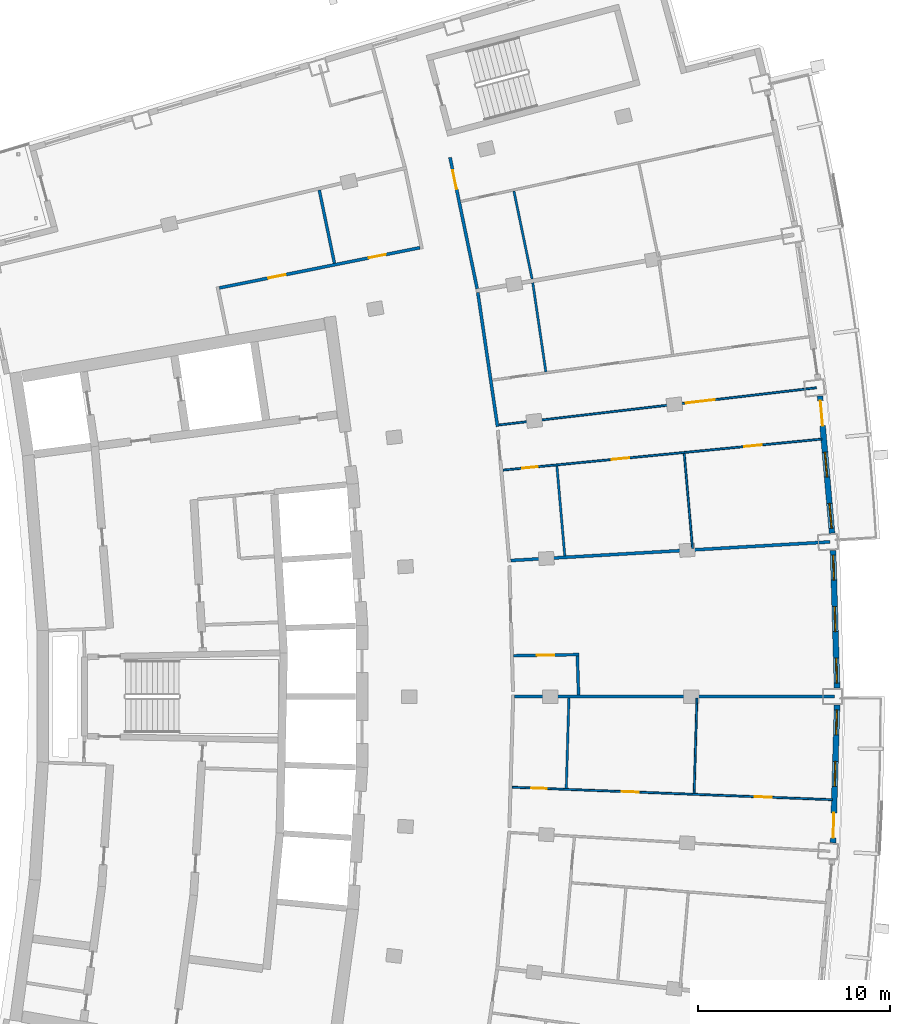
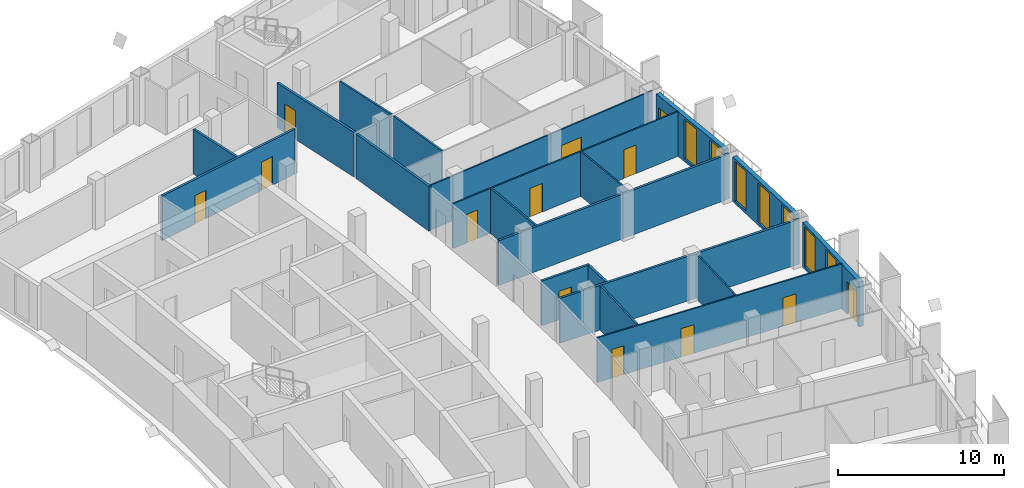
# One storey, part 13 of 17: 20 walls, 13 doors, 7 windows, 20 openings.
"""IFC4 building model written with IfcOpenShell, lengths in metres."""

from ifc_helpers import new_model, si_unit, direction, frame, frame_2d, origin, place, context, subcontext, project, spatial, rectangle, extrude, material, layer, layer_set, type_object, element, fill, save


model = new_model("IFC4")

# Units and contexts
model_context = context("Model", 3, precision=1e-05, world=origin(), true_north=direction((0.0, 1.0)))
body_context = subcontext(model_context, "Body", "Model", "MODEL_VIEW")
ifc_project = project(units=[si_unit("LENGTHUNIT", "METRE"), si_unit("AREAUNIT", "SQUARE_METRE"), si_unit("VOLUMEUNIT", "CUBIC_METRE"), si_unit("PLANEANGLEUNIT", "RADIAN"), si_unit("MASSUNIT", "GRAM", prefix="KILO")], contexts=[model_context])

# Site, building, storey
site_placement = place(None, origin())
site = spatial("IfcSite", under=ifc_project, at=site_placement, CompositionType="ELEMENT")
building_placement = place(site_placement, origin())
building = spatial("IfcBuilding", under=site, at=building_placement, Name="Alderwake Tower", CompositionType="ELEMENT")
storey_placement = place(building_placement, frame((0.0, 0.0, 218.0)))
storey = spatial("IfcBuildingStorey", under=building, at=storey_placement, Name="L54", CompositionType="ELEMENT", Elevation=218.0)

# Wall, openings, doors
ifc_material_1 = material(Name="Gypsum board on metal studs, rated")
ifc_layer_1 = layer(ifc_material_1, 0.159912109375)
ifc_layer_set_1 = layer_set([ifc_layer_1], Name="Corridor wall 160")
wall_type_1 = type_object("IfcWallType", Name="Corridor wall 160", PredefinedType="PARTITIONING", material=ifc_layer_set_1)
wall_1_placement = place(storey_placement, frame((25.926513671875, 82.24267578125, 0.0), z_axis=(0.0, 0.0, 1.0), x_axis=(0.98046310274, 0.196703086316, 0.0)))
wall_1 = element("IfcWall", 1, at=wall_1_placement, inside=storey, type_object=wall_type_1, Name="WL/L54/W17", PredefinedType="PARTITIONING", context=body_context, shape_type="SweptSolid", body=[
    extrude(rectangle(XDim=10.637939453125, YDim=0.159912109375, at=frame_2d((5.31884765625, 0.0))), origin(), (0.0, 0.0, 1.0), 3.280029296875),
])
opening_1_placement = place(wall_1_placement, frame((2.609130859375, 0.0, 0.0)))
opening_1 = element("IfcOpeningElement", 2, at=opening_1_placement, cuts=wall_1, Name="Opening R15-SBN1", PredefinedType="OPENING", context=body_context, shape_type="SweptSolid", body=[
    extrude(rectangle(XDim=0.89990234375, YDim=2.10009765625, at=frame_2d((0.449951171875, 1.050048828125))), frame((0.0, 0.08984375, 0.0), z_axis=(0.0, -1.0, 0.0), x_axis=(1.0, 0.0, 0.0)), (0.0, 0.0, 1.0), 0.179931640625),
])
opening_2_placement = place(wall_1_placement, frame((7.927978515625, 0.0, 0.0)))
opening_2 = element("IfcOpeningElement", 3, at=opening_2_placement, cuts=wall_1, Name="Opening R15-SBN2", PredefinedType="OPENING", context=body_context, shape_type="SweptSolid", body=[
    extrude(rectangle(XDim=0.89990234375, YDim=2.10009765625, at=frame_2d((0.449951171875, 1.050048828125))), frame((0.0, 0.08984375, 0.0), z_axis=(0.0, -1.0, 0.0), x_axis=(1.0, 0.0, 0.0)), (0.0, 0.0, 1.0), 0.179931640625),
])
ifc_material_2 = material(Name="Painted timber leaf", Category="wood")
door_type_1 = type_object("IfcDoorType", Name="Room door 900", OperationType="SINGLE_SWING_LEFT", PredefinedType="DOOR", material=ifc_material_2)
door_1_placement = place(opening_1_placement, origin())
door_1 = element("IfcDoor", 4, at=door_1_placement, inside=storey, type_object=door_type_1, Name="DR/L54/SBN1", OperationType="SINGLE_SWING_LEFT", OverallHeight=2.10009765625, OverallWidth=0.89990234375, PredefinedType="DOOR", context=body_context, shape_type="SweptSolid", body=[
    extrude(rectangle(XDim=0.89990234375, YDim=2.10009765625, at=frame_2d((0.449951171875, 1.050048828125))), frame((0.0, 0.02490234375, 0.0), z_axis=(0.0, -1.0, 0.0), x_axis=(1.0, 0.0, 0.0)), (0.0, 0.0, 1.0), 0.050048828125),
])
fill(opening_1, door_1)
door_2_placement = place(opening_2_placement, origin())
door_2 = element("IfcDoor", 5, at=door_2_placement, inside=storey, type_object=door_type_1, Name="DR/L54/SBN2", OperationType="SINGLE_SWING_LEFT", OverallHeight=2.10009765625, OverallWidth=0.89990234375, PredefinedType="DOOR", context=body_context, shape_type="SweptSolid", body=[
    extrude(rectangle(XDim=0.89990234375, YDim=2.10009765625, at=frame_2d((0.449951171875, 1.050048828125))), frame((0.0, 0.02490234375, 0.0), z_axis=(0.0, -1.0, 0.0), x_axis=(1.0, 0.0, 0.0)), (0.0, 0.0, 1.0), 0.050048828125),
])
fill(opening_2, door_2)

# Wall, opening, door
wall_2_placement = place(storey_placement, frame((37.9169921875, 89.02490234375, 0.0), z_axis=(0.0, 0.0, 1.0), x_axis=(0.202416809878, -0.97929946139, 0.0)))
wall_2 = element("IfcWall", 6, at=wall_2_placement, inside=storey, type_object=wall_type_1, Name="WL/L54/W20", PredefinedType="PARTITIONING", context=body_context, shape_type="SweptSolid", body=[
    extrude(rectangle(XDim=6.97021484375, YDim=0.159912109375, at=frame_2d((3.485107421875, 0.0))), origin(), (0.0, 0.0, 1.0), 3.280029296875),
])
opening_3_placement = place(wall_2_placement, frame((0.6787109375, 0.0, 0.0)))
opening_3 = element("IfcOpeningElement", 7, at=opening_3_placement, cuts=wall_2, Name="Opening R15-U07.2", PredefinedType="OPENING", context=body_context, shape_type="SweptSolid", body=[
    extrude(rectangle(XDim=1.0, YDim=2.10009765625, at=frame_2d((0.5, 1.050048828125))), frame((0.0, 0.08984375, 0.0), z_axis=(0.0, -1.0, 0.0), x_axis=(1.0, 0.0, 0.0)), (0.0, 0.0, 1.0), 0.179931640625),
])
ifc_material_3 = material(Name="Solid timber leaf in steel frame", Category="steel")
door_type_2 = type_object("IfcDoorType", Name="Flat entrance door 1000 fire-rated", OperationType="SINGLE_SWING_LEFT", PredefinedType="DOOR", material=ifc_material_3)
door_3_placement = place(opening_3_placement, origin())
door_3 = element("IfcDoor", 8, at=door_3_placement, inside=storey, type_object=door_type_2, Name="DR/L54/U07.2", OperationType="SINGLE_SWING_LEFT", OverallHeight=2.10009765625, OverallWidth=1.0, PredefinedType="DOOR", context=body_context, shape_type="SweptSolid", body=[
    extrude(rectangle(XDim=1.0, YDim=2.10009765625, at=frame_2d((0.5, 1.050048828125))), frame((0.0, 0.02490234375, 0.0), z_axis=(0.0, -1.0, 0.0), x_axis=(1.0, 0.0, 0.0)), (0.0, 0.0, 1.0), 0.050048828125),
])
fill(opening_3, door_3)

# Walls
wall_3_placement = place(storey_placement, frame((40.388671875, 75.02880859375, 0.0), z_axis=(0.0, 0.0, 1.0), x_axis=(-0.145585733575, 0.98934563939, 0.0)))
element("IfcWall", 9, at=wall_3_placement, inside=storey, type_object=wall_type_1, Name="WL/L54/W22", PredefinedType="PARTITIONING", context=body_context, shape_type="SweptSolid", body=[
    extrude(rectangle(XDim=7.04833984375, YDim=0.159912109375, at=frame_2d((3.524169921875, 0.0))), origin(), (0.0, 0.0, 1.0), 3.280029296875),
])
wall_4_placement = place(storey_placement, frame((57.666015625, 69.0390625, 0.0), z_axis=(0.0, 0.0, 1.0), x_axis=(-0.998304783691, -0.058202739276, 0.0)))
element("IfcWall", 10, at=wall_4_placement, inside=storey, type_object=wall_type_1, Name="WL/L54/W26", PredefinedType="PARTITIONING", context=body_context, shape_type="SweptSolid", body=[
    extrude(rectangle(XDim=16.619140625, YDim=0.159912109375, at=frame_2d((8.3095703125, 0.0))), origin(), (0.0, 0.0, 1.0), 3.280029296875),
])
wall_5_placement = place(storey_placement, frame((57.89990234375, 60.9990234375, 0.0), z_axis=(0.0, 0.0, 1.0), x_axis=(-1.0, 0.0, 0.0)))
element("IfcWall", 11, at=wall_5_placement, inside=storey, type_object=wall_type_1, Name="WL/L54/W27", PredefinedType="PARTITIONING", context=body_context, shape_type="SweptSolid", body=[
    extrude(rectangle(XDim=16.620849609375, YDim=0.159912109375, at=frame_2d((8.310546875, 0.0))), origin(), (0.0, 0.0, 1.0), 3.280029296875),
])

# Wall, openings, door, windows
ifc_material_4 = material(Name="Precast concrete C50/60 spandrel panel", Category="concrete")
ifc_layer_2 = layer(ifc_material_4, 0.300048828125)
ifc_layer_set_2 = layer_set([ifc_layer_2], Name="External wall EW1 Precast concrete C50/60 spandrel")
wall_type_2 = type_object("IfcWallType", Name="External wall EW1 Precast concrete C50/60 spandrel", PredefinedType="SOLIDWALL", material=ifc_layer_set_2)
wall_6_placement = place(storey_placement, frame((57.828125, 53.39892578125, 0.0), z_axis=(0.0, 0.0, 1.0), x_axis=(0.029166481993, 0.999574567668, 0.0)))
wall_6 = element("IfcWall", 12, at=wall_6_placement, inside=storey, type_object=wall_type_2, Name="External wall 15", PredefinedType="SOLIDWALL", context=body_context, shape_type="SweptSolid", body=[
    extrude(rectangle(XDim=7.15673828125, YDim=0.300048828125, at=frame_2d((3.578369140625, 0.0))), origin(), (0.0, 0.0, 1.0), 3.280029296875),
])
opening_4_placement = place(wall_6_placement, frame((0.24951171875, 0.0, 0.0)))
opening_4 = element("IfcOpeningElement", 13, at=opening_4_placement, cuts=wall_6, Name="Opening D05", PredefinedType="OPENING", context=body_context, shape_type="SweptSolid", body=[
    extrude(rectangle(XDim=1.300048828125, YDim=2.39990234375, at=frame_2d((0.64990234375, 1.199951171875))), frame((0.0, 0.159912109375, 0.0), z_axis=(0.0, -1.0, 0.0), x_axis=(1.0, 0.0, 0.0)), (0.0, 0.0, 1.0), 0.320068359375),
])
opening_5_placement = place(wall_6_placement, frame((2.928466796875, 0.0, 0.199951171875)))
opening_5 = element("IfcOpeningElement", 14, at=opening_5_placement, cuts=wall_6, Name="Opening W1", PredefinedType="OPENING", context=body_context, shape_type="SweptSolid", body=[
    extrude(rectangle(XDim=1.300048828125, YDim=2.89990234375, at=frame_2d((0.64990234375, 1.449951171875))), frame((0.0, 0.159912109375, 0.0), z_axis=(0.0, -1.0, 0.0), x_axis=(1.0, 0.0, 0.0)), (0.0, 0.0, 1.0), 0.320068359375),
])
opening_6_placement = place(wall_6_placement, frame((5.607666015625, 0.0, 0.199951171875)))
opening_6 = element("IfcOpeningElement", 15, at=opening_6_placement, cuts=wall_6, Name="Opening W1", PredefinedType="OPENING", context=body_context, shape_type="SweptSolid", body=[
    extrude(rectangle(XDim=1.300048828125, YDim=2.89990234375, at=frame_2d((0.64990234375, 1.449951171875))), frame((0.0, 0.159912109375, 0.0), z_axis=(0.0, -1.0, 0.0), x_axis=(1.0, 0.0, 0.0)), (0.0, 0.0, 1.0), 0.320068359375),
])
ifc_material_5 = material(Name="Bronze tinted glass in aluminium frame", Category="aluminium")
door_type_3 = type_object("IfcDoorType", Name="Balcony door BD sliding", OperationType="SLIDING_TO_LEFT", PredefinedType="DOOR", material=ifc_material_5)
door_4_placement = place(opening_4_placement, origin())
door_4 = element("IfcDoor", 16, at=door_4_placement, inside=storey, type_object=door_type_3, Name="Door D05", OperationType="SLIDING_TO_LEFT", OverallHeight=2.39990234375, OverallWidth=1.300048828125, PredefinedType="DOOR", context=body_context, shape_type="SweptSolid", body=[
    extrude(rectangle(XDim=1.300048828125, YDim=2.39990234375, at=frame_2d((0.64990234375, 1.199951171875))), frame((0.0, 0.02490234375, 0.0), z_axis=(0.0, -1.0, 0.0), x_axis=(1.0, 0.0, 0.0)), (0.0, 0.0, 1.0), 0.050048828125),
])
fill(opening_4, door_4)
ifc_material_6 = material(Name="Bronze tinted glass in aluminium frame", Category="aluminium")
window_type = type_object("IfcWindowType", Name="Window W1 tall fixed and vent", PartitioningType="DOUBLE_PANEL_VERTICAL", PredefinedType="WINDOW", material=ifc_material_6)
window_1_placement = place(opening_5_placement, origin())
window_1 = element("IfcWindow", 17, at=window_1_placement, inside=storey, type_object=window_type, Name="Window W1 tall fixed and vent", OverallHeight=2.89990234375, OverallWidth=1.300048828125, PartitioningType="DOUBLE_PANEL_VERTICAL", PredefinedType="WINDOW", context=body_context, shape_type="SweptSolid", body=[
    extrude(rectangle(XDim=1.300048828125, YDim=2.89990234375, at=frame_2d((0.64990234375, 1.449951171875))), frame((0.0, 0.030029296875, 0.0), z_axis=(0.0, -1.0, 0.0), x_axis=(1.0, 0.0, 0.0)), (0.0, 0.0, 1.0), 0.06005859375),
])
fill(opening_5, window_1)
window_2_placement = place(opening_6_placement, origin())
window_2 = element("IfcWindow", 18, at=window_2_placement, inside=storey, type_object=window_type, Name="Window W1 tall fixed and vent", OverallHeight=2.89990234375, OverallWidth=1.300048828125, PartitioningType="DOUBLE_PANEL_VERTICAL", PredefinedType="WINDOW", context=body_context, shape_type="SweptSolid", body=[
    extrude(rectangle(XDim=1.300048828125, YDim=2.89990234375, at=frame_2d((0.64990234375, 1.449951171875))), frame((0.0, 0.030029296875, 0.0), z_axis=(0.0, -1.0, 0.0), x_axis=(1.0, 0.0, 0.0)), (0.0, 0.0, 1.0), 0.06005859375),
])
fill(opening_6, window_2)

# Wall, openings, windows
wall_7_placement = place(storey_placement, frame((58.036865234375, 61.447265625, 0.0), z_axis=(0.0, 0.0, 1.0), x_axis=(-0.029166481993, 0.999574567668, 0.0)))
wall_7 = element("IfcWall", 19, at=wall_7_placement, inside=storey, type_object=wall_type_2, Name="External wall 16", PredefinedType="SOLIDWALL", context=body_context, shape_type="SweptSolid", body=[
    extrude(rectangle(XDim=7.15673828125, YDim=0.300048828125, at=frame_2d((3.578369140625, 0.0))), origin(), (0.0, 0.0, 1.0), 3.280029296875),
])
opening_7_placement = place(wall_7_placement, frame((0.24951171875, 0.0, 0.199951171875)))
opening_7 = element("IfcOpeningElement", 20, at=opening_7_placement, cuts=wall_7, Name="Opening W1", PredefinedType="OPENING", context=body_context, shape_type="SweptSolid", body=[
    extrude(rectangle(XDim=1.300048828125, YDim=2.89990234375, at=frame_2d((0.64990234375, 1.449951171875))), frame((0.0, 0.159912109375, 0.0), z_axis=(0.0, -1.0, 0.0), x_axis=(1.0, 0.0, 0.0)), (0.0, 0.0, 1.0), 0.320068359375),
])
opening_8_placement = place(wall_7_placement, frame((2.928466796875, 0.0, 0.199951171875)))
opening_8 = element("IfcOpeningElement", 21, at=opening_8_placement, cuts=wall_7, Name="Opening W1", PredefinedType="OPENING", context=body_context, shape_type="SweptSolid", body=[
    extrude(rectangle(XDim=1.300048828125, YDim=2.89990234375, at=frame_2d((0.64990234375, 1.449951171875))), frame((0.0, 0.159912109375, 0.0), z_axis=(0.0, -1.0, 0.0), x_axis=(1.0, 0.0, 0.0)), (0.0, 0.0, 1.0), 0.320068359375),
])
opening_9_placement = place(wall_7_placement, frame((5.607666015625, 0.0, 0.199951171875)))
opening_9 = element("IfcOpeningElement", 22, at=opening_9_placement, cuts=wall_7, Name="Opening W1", PredefinedType="OPENING", context=body_context, shape_type="SweptSolid", body=[
    extrude(rectangle(XDim=1.300048828125, YDim=2.89990234375, at=frame_2d((0.64990234375, 1.449951171875))), frame((0.0, 0.159912109375, 0.0), z_axis=(0.0, -1.0, 0.0), x_axis=(1.0, 0.0, 0.0)), (0.0, 0.0, 1.0), 0.320068359375),
])
window_3_placement = place(opening_7_placement, origin())
window_3 = element("IfcWindow", 23, at=window_3_placement, inside=storey, type_object=window_type, Name="Window W1 tall fixed and vent", OverallHeight=2.89990234375, OverallWidth=1.300048828125, PartitioningType="DOUBLE_PANEL_VERTICAL", PredefinedType="WINDOW", context=body_context, shape_type="SweptSolid", body=[
    extrude(rectangle(XDim=1.300048828125, YDim=2.89990234375, at=frame_2d((0.64990234375, 1.449951171875))), frame((0.0, 0.030029296875, 0.0), z_axis=(0.0, -1.0, 0.0), x_axis=(1.0, 0.0, 0.0)), (0.0, 0.0, 1.0), 0.06005859375),
])
fill(opening_7, window_3)
window_4_placement = place(opening_8_placement, origin())
window_4 = element("IfcWindow", 24, at=window_4_placement, inside=storey, type_object=window_type, Name="Window W1 tall fixed and vent", OverallHeight=2.89990234375, OverallWidth=1.300048828125, PartitioningType="DOUBLE_PANEL_VERTICAL", PredefinedType="WINDOW", context=body_context, shape_type="SweptSolid", body=[
    extrude(rectangle(XDim=1.300048828125, YDim=2.89990234375, at=frame_2d((0.64990234375, 1.449951171875))), frame((0.0, 0.030029296875, 0.0), z_axis=(0.0, -1.0, 0.0), x_axis=(1.0, 0.0, 0.0)), (0.0, 0.0, 1.0), 0.06005859375),
])
fill(opening_8, window_4)
window_5_placement = place(opening_9_placement, origin())
window_5 = element("IfcWindow", 25, at=window_5_placement, inside=storey, type_object=window_type, Name="Window W1 tall fixed and vent", OverallHeight=2.89990234375, OverallWidth=1.300048828125, PartitioningType="DOUBLE_PANEL_VERTICAL", PredefinedType="WINDOW", context=body_context, shape_type="SweptSolid", body=[
    extrude(rectangle(XDim=1.300048828125, YDim=2.89990234375, at=frame_2d((0.64990234375, 1.449951171875))), frame((0.0, 0.030029296875, 0.0), z_axis=(0.0, -1.0, 0.0), x_axis=(1.0, 0.0, 0.0)), (0.0, 0.0, 1.0), 0.06005859375),
])
fill(opening_9, window_5)

# Wall, openings, door, windows
wall_8_placement = place(storey_placement, frame((57.776123046875, 69.494140625, 0.0), z_axis=(0.0, 0.0, 1.0), x_axis=(-0.087398001478, 0.996173473516, 0.0)))
wall_8 = element("IfcWall", 26, at=wall_8_placement, inside=storey, type_object=wall_type_2, Name="External wall 17", PredefinedType="SOLIDWALL", context=body_context, shape_type="SweptSolid", body=[
    extrude(rectangle(XDim=7.15673828125, YDim=0.300048828125, at=frame_2d((3.578369140625, 0.0))), origin(), (0.0, 0.0, 1.0), 3.280029296875),
])
opening_10_placement = place(wall_8_placement, frame((0.24951171875, 0.0, 0.199951171875)))
opening_10 = element("IfcOpeningElement", 27, at=opening_10_placement, cuts=wall_8, Name="Opening W1", PredefinedType="OPENING", context=body_context, shape_type="SweptSolid", body=[
    extrude(rectangle(XDim=1.300048828125, YDim=2.89990234375, at=frame_2d((0.64990234375, 1.449951171875))), frame((0.0, 0.159912109375, 0.0), z_axis=(0.0, -1.0, 0.0), x_axis=(1.0, 0.0, 0.0)), (0.0, 0.0, 1.0), 0.320068359375),
])
opening_11_placement = place(wall_8_placement, frame((2.928466796875, 0.0, 0.199951171875)))
opening_11 = element("IfcOpeningElement", 28, at=opening_11_placement, cuts=wall_8, Name="Opening W1", PredefinedType="OPENING", context=body_context, shape_type="SweptSolid", body=[
    extrude(rectangle(XDim=1.300048828125, YDim=2.89990234375, at=frame_2d((0.64990234375, 1.449951171875))), frame((0.0, 0.159912109375, 0.0), z_axis=(0.0, -1.0, 0.0), x_axis=(1.0, 0.0, 0.0)), (0.0, 0.0, 1.0), 0.320068359375),
])
opening_12_placement = place(wall_8_placement, frame((5.607421875, 0.0, 0.0)))
opening_12 = element("IfcOpeningElement", 29, at=opening_12_placement, cuts=wall_8, Name="Opening D06", PredefinedType="OPENING", context=body_context, shape_type="SweptSolid", body=[
    extrude(rectangle(XDim=1.300048828125, YDim=2.39990234375, at=frame_2d((0.64990234375, 1.199951171875))), frame((0.0, 0.159912109375, 0.0), z_axis=(0.0, -1.0, 0.0), x_axis=(1.0, 0.0, 0.0)), (0.0, 0.0, 1.0), 0.320068359375),
])
door_5_placement = place(opening_12_placement, origin())
door_5 = element("IfcDoor", 30, at=door_5_placement, inside=storey, type_object=door_type_3, Name="Door D06", OperationType="SLIDING_TO_LEFT", OverallHeight=2.39990234375, OverallWidth=1.300048828125, PredefinedType="DOOR", context=body_context, shape_type="SweptSolid", body=[
    extrude(rectangle(XDim=1.300048828125, YDim=2.39990234375, at=frame_2d((0.64990234375, 1.199951171875))), frame((0.0, 0.02490234375, 0.0), z_axis=(0.0, -1.0, 0.0), x_axis=(1.0, 0.0, 0.0)), (0.0, 0.0, 1.0), 0.050048828125),
])
fill(opening_12, door_5)
window_6_placement = place(opening_10_placement, origin())
window_6 = element("IfcWindow", 31, at=window_6_placement, inside=storey, type_object=window_type, Name="Window W1 tall fixed and vent", OverallHeight=2.89990234375, OverallWidth=1.300048828125, PartitioningType="DOUBLE_PANEL_VERTICAL", PredefinedType="WINDOW", context=body_context, shape_type="SweptSolid", body=[
    extrude(rectangle(XDim=1.300048828125, YDim=2.89990234375, at=frame_2d((0.64990234375, 1.449951171875))), frame((0.0, 0.030029296875, 0.0), z_axis=(0.0, -1.0, 0.0), x_axis=(1.0, 0.0, 0.0)), (0.0, 0.0, 1.0), 0.06005859375),
])
fill(opening_10, window_6)
window_7_placement = place(opening_11_placement, origin())
window_7 = element("IfcWindow", 32, at=window_7_placement, inside=storey, type_object=window_type, Name="Window W1 tall fixed and vent", OverallHeight=2.89990234375, OverallWidth=1.300048828125, PartitioningType="DOUBLE_PANEL_VERTICAL", PredefinedType="WINDOW", context=body_context, shape_type="SweptSolid", body=[
    extrude(rectangle(XDim=1.300048828125, YDim=2.89990234375, at=frame_2d((0.64990234375, 1.449951171875))), frame((0.0, 0.030029296875, 0.0), z_axis=(0.0, -1.0, 0.0), x_axis=(1.0, 0.0, 0.0)), (0.0, 0.0, 1.0), 0.06005859375),
])
fill(opening_11, window_7)

# Wall
ifc_material_7 = material(Name="Gypsum shaft wall system, rated")
ifc_layer_3 = layer(ifc_material_7, 0.14990234375)
ifc_layer_set_3 = layer_set([ifc_layer_3], Name="Riser and shaft wall 150")
wall_type_3 = type_object("IfcWallType", Name="Riser and shaft wall 150", PredefinedType="PARTITIONING", material=ifc_layer_set_3)
wall_9_placement = place(storey_placement, frame((31.90966796875, 83.523193359375, 0.0), z_axis=(0.0, 0.0, 1.0), x_axis=(-0.203193719272, 0.979138556308, 0.0)))
element("IfcWall", 33, at=wall_9_placement, inside=storey, type_object=wall_type_3, Name="WL/L54/W05", PredefinedType="PARTITIONING", context=body_context, shape_type="SweptSolid", body=[
    extrude(rectangle(XDim=3.884521484375, YDim=0.14990234375, at=frame_2d((1.9423828125, 0.0))), origin(), (0.0, 0.0, 1.0), 3.280029296875),
])

# Wall, opening, door
wall_10_placement = place(storey_placement, frame((44.610107421875, 63.181396484375, 0.0), z_axis=(0.0, 0.0, 1.0), x_axis=(-0.999843204507, -0.017707806214, 0.0)))
wall_10 = element("IfcWall", 34, at=wall_10_placement, inside=storey, type_object=wall_type_3, Name="WL/L54/W06", PredefinedType="PARTITIONING", context=body_context, shape_type="SweptSolid", body=[
    extrude(rectangle(XDim=3.3916015625, YDim=0.14990234375, at=frame_2d((1.69580078125, 0.0))), origin(), (0.0, 0.0, 1.0), 3.280029296875),
])
opening_13_placement = place(wall_10_placement, frame((1.28271484375, 0.0, 0.0)))
opening_13 = element("IfcOpeningElement", 35, at=opening_13_placement, cuts=wall_10, Name="Opening R15-AM1.2", PredefinedType="OPENING", context=body_context, shape_type="SweptSolid", body=[
    extrude(rectangle(XDim=0.89990234375, YDim=2.10009765625, at=frame_2d((0.449951171875, 1.050048828125))), frame((0.0, 0.0849609375, 0.0), z_axis=(0.0, -1.0, 0.0), x_axis=(1.0, 0.0, 0.0)), (0.0, 0.0, 1.0), 0.169921875),
])
door_6_placement = place(opening_13_placement, origin())
door_6 = element("IfcDoor", 36, at=door_6_placement, inside=storey, type_object=door_type_1, Name="DR/L54/AM1.2", OperationType="SINGLE_SWING_LEFT", OverallHeight=2.10009765625, OverallWidth=0.89990234375, PredefinedType="DOOR", context=body_context, shape_type="SweptSolid", body=[
    extrude(rectangle(XDim=0.89990234375, YDim=2.10009765625, at=frame_2d((0.449951171875, 1.050048828125))), frame((0.0, 0.02490234375, 0.0), z_axis=(0.0, -1.0, 0.0), x_axis=(1.0, 0.0, 0.0)), (0.0, 0.0, 1.0), 0.050048828125),
])
fill(opening_13, door_6)

# Wall
wall_11_placement = place(storey_placement, frame((44.5986328125, 61.0791015625, 0.0), z_axis=(0.0, 0.0, 1.0), x_axis=(-0.030234424158, 0.999542835298, 0.0)))
element("IfcWall", 37, at=wall_11_placement, inside=storey, type_object=wall_type_3, Name="WL/L54/W07", PredefinedType="PARTITIONING", context=body_context, shape_type="SweptSolid", body=[
    extrude(rectangle(XDim=2.02685546875, YDim=0.14990234375, at=frame_2d((1.013427734375, 0.0))), origin(), (0.0, 0.0, 1.0), 3.280029296875),
])

# Wall, openings, doors
ifc_material_8 = material(Name="Gypsum board on metal studs")
ifc_layer_4 = layer(ifc_material_8, 0.10009765625)
ifc_layer_set_4 = layer_set([ifc_layer_4], Name="Unit partition 100")
wall_type_4 = type_object("IfcWallType", Name="Unit partition 100", PredefinedType="PARTITIONING", material=ifc_layer_set_4)
wall_12_placement = place(storey_placement, frame((57.24609375, 74.385009765625, 0.0), z_axis=(0.0, 0.0, 1.0), x_axis=(-0.995291195523, -0.096930057844, 0.0)))
wall_12 = element("IfcWall", 38, at=wall_12_placement, inside=storey, type_object=wall_type_4, Name="WL/L54/W44", PredefinedType="PARTITIONING", context=body_context, shape_type="SweptSolid", body=[
    extrude(rectangle(XDim=16.663818359375, YDim=0.10009765625, at=frame_2d((8.33203125, 0.0))), origin(), (0.0, 0.0, 1.0), 3.280029296875),
])
opening_14_placement = place(wall_12_placement, frame((10.068115234375, 0.0, 0.0)))
opening_14 = element("IfcOpeningElement", 39, at=opening_14_placement, cuts=wall_12, Name="Opening R15-U06.1", PredefinedType="OPENING", context=body_context, shape_type="SweptSolid", body=[
    extrude(rectangle(XDim=0.89990234375, YDim=2.10009765625, at=frame_2d((0.449951171875, 1.050048828125))), frame((0.0, 0.06005859375, 0.0), z_axis=(0.0, -1.0, 0.0), x_axis=(1.0, 0.0, 0.0)), (0.0, 0.0, 1.0), 0.1201171875),
])
opening_15_placement = place(wall_12_placement, frame((14.85400390625, 0.0, 0.0)))
opening_15 = element("IfcOpeningElement", 40, at=opening_15_placement, cuts=wall_12, Name="Opening R15-U06.3", PredefinedType="OPENING", context=body_context, shape_type="SweptSolid", body=[
    extrude(rectangle(XDim=0.800048828125, YDim=2.10009765625, at=frame_2d((0.39990234375, 1.050048828125))), frame((0.0, 0.06005859375, 0.0), z_axis=(0.0, -1.0, 0.0), x_axis=(1.0, 0.0, 0.0)), (0.0, 0.0, 1.0), 0.1201171875),
])
opening_16_placement = place(wall_12_placement, frame((3.146240234375, 0.0, 0.0)))
opening_16 = element("IfcOpeningElement", 41, at=opening_16_placement, cuts=wall_12, Name="Opening R15-U06.4", PredefinedType="OPENING", context=body_context, shape_type="SweptSolid", body=[
    extrude(rectangle(XDim=0.89990234375, YDim=2.10009765625, at=frame_2d((0.449951171875, 1.050048828125))), frame((0.0, 0.06005859375, 0.0), z_axis=(0.0, -1.0, 0.0), x_axis=(1.0, 0.0, 0.0)), (0.0, 0.0, 1.0), 0.1201171875),
])
ifc_material_9 = material(Name="Painted timber leaf", Category="wood")
door_type_4 = type_object("IfcDoorType", Name="Bathroom door 800", OperationType="SINGLE_SWING_LEFT", PredefinedType="DOOR", material=ifc_material_9)
door_7_placement = place(opening_15_placement, origin())
door_7 = element("IfcDoor", 42, at=door_7_placement, inside=storey, type_object=door_type_4, Name="DR/L54/U06.3", OperationType="SINGLE_SWING_LEFT", OverallHeight=2.10009765625, OverallWidth=0.800048828125, PredefinedType="DOOR", context=body_context, shape_type="SweptSolid", body=[
    extrude(rectangle(XDim=0.800048828125, YDim=2.10009765625, at=frame_2d((0.39990234375, 1.050048828125))), frame((0.0, 0.02490234375, 0.0), z_axis=(0.0, -1.0, 0.0), x_axis=(1.0, 0.0, 0.0)), (0.0, 0.0, 1.0), 0.050048828125),
])
fill(opening_15, door_7)
door_8_placement = place(opening_14_placement, origin())
door_8 = element("IfcDoor", 43, at=door_8_placement, inside=storey, type_object=door_type_1, Name="DR/L54/U06.1", OperationType="SINGLE_SWING_LEFT", OverallHeight=2.10009765625, OverallWidth=0.89990234375, PredefinedType="DOOR", context=body_context, shape_type="SweptSolid", body=[
    extrude(rectangle(XDim=0.89990234375, YDim=2.10009765625, at=frame_2d((0.449951171875, 1.050048828125))), frame((0.0, 0.02490234375, 0.0), z_axis=(0.0, -1.0, 0.0), x_axis=(1.0, 0.0, 0.0)), (0.0, 0.0, 1.0), 0.050048828125),
])
fill(opening_14, door_8)
door_9_placement = place(opening_16_placement, origin())
door_9 = element("IfcDoor", 44, at=door_9_placement, inside=storey, type_object=door_type_1, Name="DR/L54/U06.4", OperationType="SINGLE_SWING_LEFT", OverallHeight=2.10009765625, OverallWidth=0.89990234375, PredefinedType="DOOR", context=body_context, shape_type="SweptSolid", body=[
    extrude(rectangle(XDim=0.89990234375, YDim=2.10009765625, at=frame_2d((0.449951171875, 1.050048828125))), frame((0.0, 0.02490234375, 0.0), z_axis=(0.0, -1.0, 0.0), x_axis=(1.0, 0.0, 0.0)), (0.0, 0.0, 1.0), 0.050048828125),
])
fill(opening_16, door_9)

wall_13_placement = place(storey_placement, frame((41.143798828125, 56.285888671875, 0.0), z_axis=(0.0, 0.0, 1.0), x_axis=(0.999243472583, -0.038890647978, 0.0)))
wall_13 = element("IfcWall", 45, at=wall_13_placement, inside=storey, type_object=wall_type_4, Name="WL/L54/W46", PredefinedType="PARTITIONING", context=body_context, shape_type="SweptSolid", body=[
    extrude(rectangle(XDim=16.660888671875, YDim=0.10009765625, at=frame_2d((8.33056640625, 0.0))), origin(), (0.0, 0.0, 1.0), 3.280029296875),
])
opening_17_placement = place(wall_13_placement, frame((5.693359375, 0.0, 0.0)))
opening_17 = element("IfcOpeningElement", 46, at=opening_17_placement, cuts=wall_13, Name="Opening R15-U05.6", PredefinedType="OPENING", context=body_context, shape_type="SweptSolid", body=[
    extrude(rectangle(XDim=0.89990234375, YDim=2.10009765625, at=frame_2d((0.449951171875, 1.050048828125))), frame((0.0, 0.06005859375, 0.0), z_axis=(0.0, -1.0, 0.0), x_axis=(1.0, 0.0, 0.0)), (0.0, 0.0, 1.0), 0.1201171875),
])
opening_18_placement = place(wall_13_placement, frame((1.0087890625, 0.0, 0.0)))
opening_18 = element("IfcOpeningElement", 47, at=opening_18_placement, cuts=wall_13, Name="Opening R15-U05.7", PredefinedType="OPENING", context=body_context, shape_type="SweptSolid", body=[
    extrude(rectangle(XDim=0.800048828125, YDim=2.10009765625, at=frame_2d((0.39990234375, 1.050048828125))), frame((0.0, 0.06005859375, 0.0), z_axis=(0.0, -1.0, 0.0), x_axis=(1.0, 0.0, 0.0)), (0.0, 0.0, 1.0), 0.1201171875),
])
opening_19_placement = place(wall_13_placement, frame((12.614990234375, 0.0, 0.0)))
opening_19 = element("IfcOpeningElement", 48, at=opening_19_placement, cuts=wall_13, Name="Opening R15-U05.8", PredefinedType="OPENING", context=body_context, shape_type="SweptSolid", body=[
    extrude(rectangle(XDim=0.89990234375, YDim=2.10009765625, at=frame_2d((0.449951171875, 1.050048828125))), frame((0.0, 0.06005859375, 0.0), z_axis=(0.0, -1.0, 0.0), x_axis=(1.0, 0.0, 0.0)), (0.0, 0.0, 1.0), 0.1201171875),
])
door_10_placement = place(opening_18_placement, origin())
door_10 = element("IfcDoor", 49, at=door_10_placement, inside=storey, type_object=door_type_4, Name="DR/L54/U05.7", OperationType="SINGLE_SWING_LEFT", OverallHeight=2.10009765625, OverallWidth=0.800048828125, PredefinedType="DOOR", context=body_context, shape_type="SweptSolid", body=[
    extrude(rectangle(XDim=0.800048828125, YDim=2.10009765625, at=frame_2d((0.39990234375, 1.050048828125))), frame((0.0, 0.02490234375, 0.0), z_axis=(0.0, -1.0, 0.0), x_axis=(1.0, 0.0, 0.0)), (0.0, 0.0, 1.0), 0.050048828125),
])
fill(opening_18, door_10)
door_11_placement = place(opening_17_placement, origin())
door_11 = element("IfcDoor", 50, at=door_11_placement, inside=storey, type_object=door_type_1, Name="DR/L54/U05.6", OperationType="SINGLE_SWING_LEFT", OverallHeight=2.10009765625, OverallWidth=0.89990234375, PredefinedType="DOOR", context=body_context, shape_type="SweptSolid", body=[
    extrude(rectangle(XDim=0.89990234375, YDim=2.10009765625, at=frame_2d((0.449951171875, 1.050048828125))), frame((0.0, 0.02490234375, 0.0), z_axis=(0.0, -1.0, 0.0), x_axis=(1.0, 0.0, 0.0)), (0.0, 0.0, 1.0), 0.050048828125),
])
fill(opening_17, door_11)
door_12_placement = place(opening_19_placement, origin())
door_12 = element("IfcDoor", 51, at=door_12_placement, inside=storey, type_object=door_type_1, Name="DR/L54/U05.8", OperationType="SINGLE_SWING_LEFT", OverallHeight=2.10009765625, OverallWidth=0.89990234375, PredefinedType="DOOR", context=body_context, shape_type="SweptSolid", body=[
    extrude(rectangle(XDim=0.89990234375, YDim=2.10009765625, at=frame_2d((0.449951171875, 1.050048828125))), frame((0.0, 0.02490234375, 0.0), z_axis=(0.0, -1.0, 0.0), x_axis=(1.0, 0.0, 0.0)), (0.0, 0.0, 1.0), 0.050048828125),
])
fill(opening_19, door_12)

# Walls
wall_14_placement = place(storey_placement, frame((50.52490234375, 68.70166015625, 0.0), z_axis=(0.0, 0.0, 1.0), x_axis=(-0.087284269419, 0.99618344511, 0.0)))
element("IfcWall", 52, at=wall_14_placement, inside=storey, type_object=wall_type_4, Name="WL/L54/W53", PredefinedType="PARTITIONING", context=body_context, shape_type="SweptSolid", body=[
    extrude(rectangle(XDim=4.956298828125, YDim=0.10009765625, at=frame_2d((2.47802734375, 0.0))), origin(), (0.0, 0.0, 1.0), 3.280029296875),
])
wall_15_placement = place(storey_placement, frame((50.6083984375, 55.967041015625, 0.0), z_axis=(0.0, 0.0, 1.0), x_axis=(0.028928380061, 0.999581486837, 0.0)))
element("IfcWall", 53, at=wall_15_placement, inside=storey, type_object=wall_type_4, Name="WL/L54/W54", PredefinedType="PARTITIONING", context=body_context, shape_type="SweptSolid", body=[
    extrude(rectangle(XDim=4.953857421875, YDim=0.10009765625, at=frame_2d((2.47705078125, 0.0))), origin(), (0.0, 0.0, 1.0), 3.280029296875),
])

# Wall, opening, door
wall_16_placement = place(storey_placement, frame((40.45654296875, 75.1171875, 0.0), z_axis=(0.0, 0.0, 1.0), x_axis=(0.993201145726, 0.116410841971, 0.0)))
wall_16 = element("IfcWall", 54, at=wall_16_placement, inside=storey, type_object=wall_type_4, Name="WL/L54/W55", PredefinedType="PARTITIONING", context=body_context, shape_type="SweptSolid", body=[
    extrude(rectangle(XDim=16.62060546875, YDim=0.10009765625, at=frame_2d((8.310302734375, 0.0))), origin(), (0.0, 0.0, 1.0), 3.280029296875),
])
opening_20_placement = place(wall_16_placement, frame((9.79150390625, 0.0, 0.0)))
opening_20 = element("IfcOpeningElement", 55, at=opening_20_placement, cuts=wall_16, Name="Opening R15-U06.8", PredefinedType="OPENING", context=body_context, shape_type="SweptSolid", body=[
    extrude(rectangle(XDim=1.5, YDim=2.10009765625, at=frame_2d((0.75, 1.050048828125))), frame((0.0, 0.06005859375, 0.0), z_axis=(0.0, -1.0, 0.0), x_axis=(1.0, 0.0, 0.0)), (0.0, 0.0, 1.0), 0.1201171875),
])
ifc_material_10 = material(Name="Painted timber leaves", Category="wood")
door_type_5 = type_object("IfcDoorType", Name="Double leaf door 1500", OperationType="DOUBLE_DOOR_SINGLE_SWING", PredefinedType="DOOR", material=ifc_material_10)
door_13_placement = place(opening_20_placement, origin())
door_13 = element("IfcDoor", 56, at=door_13_placement, inside=storey, type_object=door_type_5, Name="DR/L54/U06.8", OperationType="DOUBLE_DOOR_SINGLE_SWING", OverallHeight=2.10009765625, OverallWidth=1.5, PredefinedType="DOOR", context=body_context, shape_type="SweptSolid", body=[
    extrude(rectangle(XDim=1.5, YDim=2.10009765625, at=frame_2d((0.75, 1.050048828125))), frame((0.0, 0.02490234375, 0.0), z_axis=(0.0, -1.0, 0.0), x_axis=(1.0, 0.0, 0.0)), (0.0, 0.0, 1.0), 0.050048828125),
])
fill(opening_20, door_13)

# Walls
ifc_material_11 = material(Name="Moisture resistant gypsum board on metal studs")
ifc_layer_5 = layer(ifc_material_11, 0.1201171875)
ifc_layer_set_5 = layer_set([ifc_layer_5], Name="Wet room partition 120")
wall_type_5 = type_object("IfcWallType", Name="Wet room partition 120", PredefinedType="PARTITIONING", material=ifc_layer_set_5)
wall_17_placement = place(storey_placement, frame((42.18359375, 82.7060546875, 0.0), z_axis=(0.0, 0.0, 1.0), x_axis=(-0.20267985984, 0.979245053301, 0.0)))
element("IfcWall", 57, at=wall_17_placement, inside=storey, type_object=wall_type_5, Name="WL/L54/W34", PredefinedType="PARTITIONING", context=body_context, shape_type="SweptSolid", body=[
    extrude(rectangle(XDim=4.6748046875, YDim=0.1201171875, at=frame_2d((2.33740234375, 0.0))), origin(), (0.0, 0.0, 1.0), 3.280029296875),
])
wall_18_placement = place(storey_placement, frame((42.898681640625, 77.881591796875, 0.0), z_axis=(0.0, 0.0, 1.0), x_axis=(-0.145424863666, 0.989369298608, 0.0)))
element("IfcWall", 58, at=wall_18_placement, inside=storey, type_object=wall_type_5, Name="WL/L54/W35", PredefinedType="PARTITIONING", context=body_context, shape_type="SweptSolid", body=[
    extrude(rectangle(XDim=4.67724609375, YDim=0.1201171875, at=frame_2d((2.338623046875, 0.0))), origin(), (0.0, 0.0, 1.0), 3.280029296875),
])
wall_19_placement = place(storey_placement, frame((43.883056640625, 68.314697265625, 0.0), z_axis=(0.0, 0.0, 1.0), x_axis=(-0.087679808095, 0.996148709407, 0.0)))
element("IfcWall", 59, at=wall_19_placement, inside=storey, type_object=wall_type_5, Name="WL/L54/W37", PredefinedType="PARTITIONING", context=body_context, shape_type="SweptSolid", body=[
    extrude(rectangle(XDim=4.694580078125, YDim=0.1201171875, at=frame_2d((2.34716796875, 0.0))), origin(), (0.0, 0.0, 1.0), 3.280029296875),
])
wall_20_placement = place(storey_placement, frame((43.96044921875, 56.22802734375, 0.0), z_axis=(0.0, 0.0, 1.0), x_axis=(0.029237001624, 0.999572507493, 0.0)))
element("IfcWall", 60, at=wall_20_placement, inside=storey, type_object=wall_type_5, Name="WL/L54/W38", PredefinedType="PARTITIONING", context=body_context, shape_type="SweptSolid", body=[
    extrude(rectangle(XDim=4.69287109375, YDim=0.1201171875, at=frame_2d((2.346435546875, 0.0))), origin(), (0.0, 0.0, 1.0), 3.280029296875),
])

save(model, "model.ifc")
